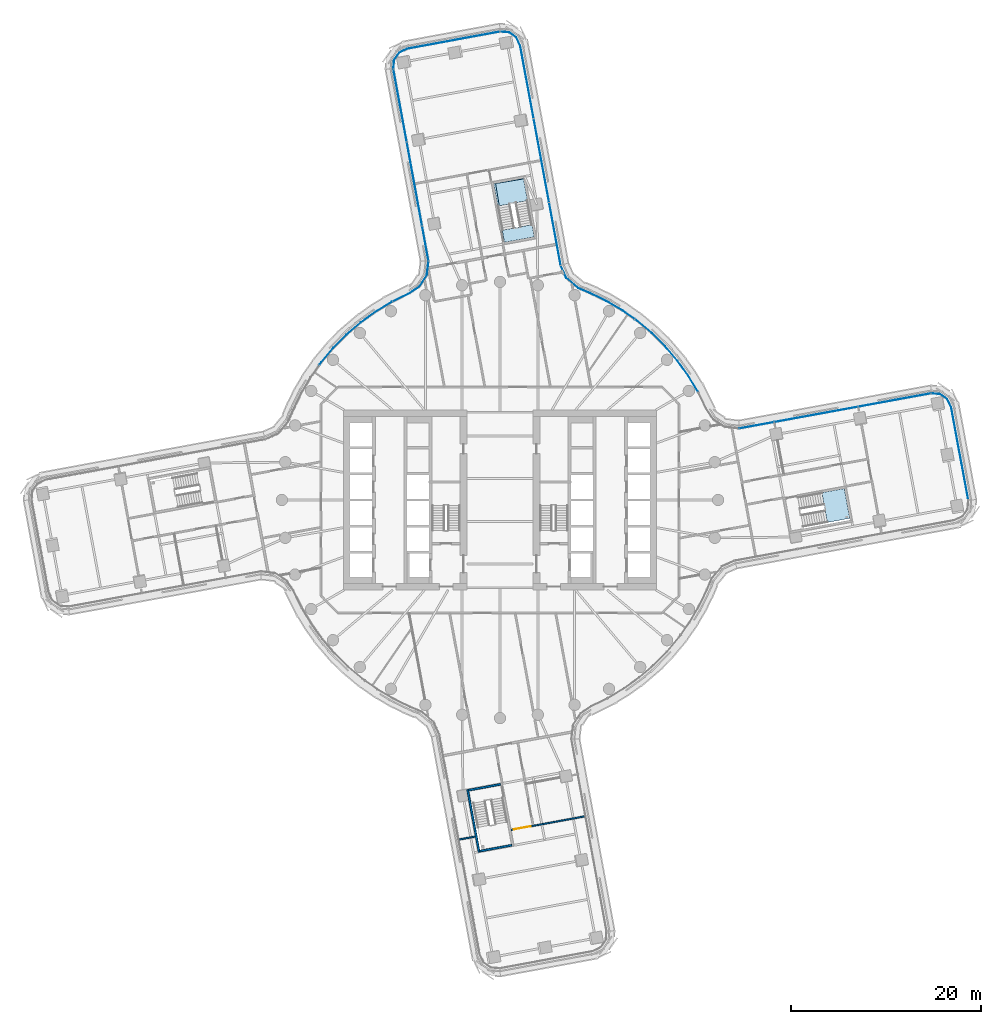
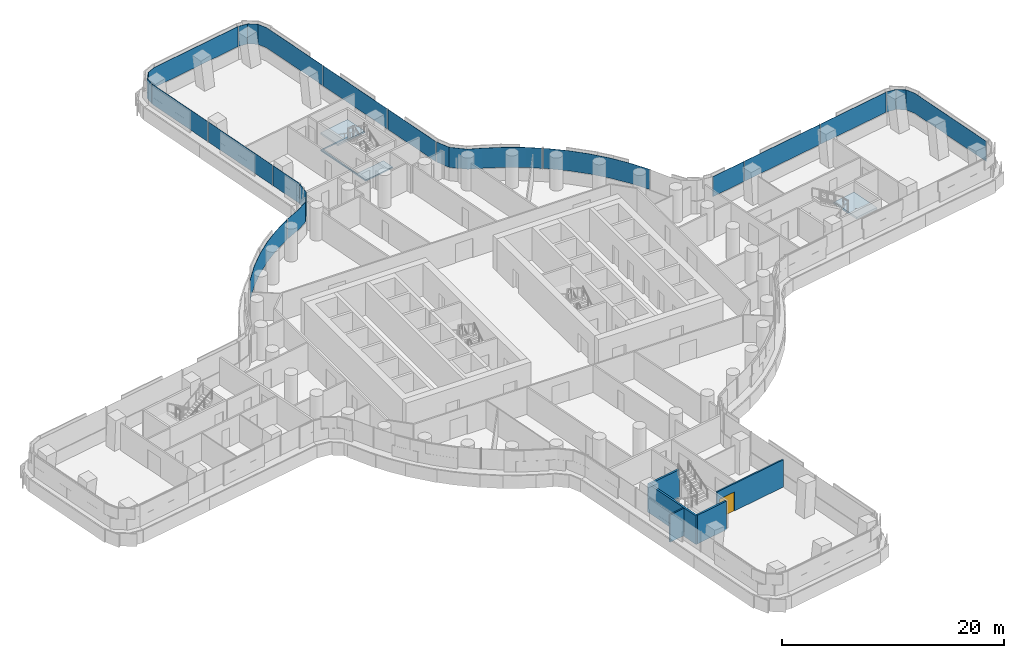
# One storey, part 19 of 33: 15 plates, 5 walls, 3 slabs, 1 door, 1 opening, 9 elements without a shape of their own.
"""IFC4 building model written with IfcOpenShell, lengths in metres."""

from ifc_helpers import new_model, si_unit, direction, frame, frame_2d, origin, place, context, subcontext, project, spatial, polyline, rectangle, outline, extrude, material, layer, layer_set, type_object, element, fill, aggregate, save


model = new_model("IFC4")

# Units and contexts
model_context = context("Model", 3, precision=1e-05, world=origin(), true_north=direction((0.0, 1.0)))
body_context = subcontext(model_context, "Body", "Model", "MODEL_VIEW")
ifc_project = project(units=[si_unit("LENGTHUNIT", "METRE"), si_unit("AREAUNIT", "SQUARE_METRE"), si_unit("VOLUMEUNIT", "CUBIC_METRE"), si_unit("PLANEANGLEUNIT", "RADIAN"), si_unit("MASSUNIT", "GRAM", prefix="KILO")], contexts=[model_context])

# Site, building, storey
site_placement = place(None, origin())
site = spatial("IfcSite", under=ifc_project, at=site_placement, CompositionType="ELEMENT")
building_placement = place(site_placement, origin())
building = spatial("IfcBuilding", under=site, at=building_placement, Name="Tamarind Cross Interchange Tower", CompositionType="ELEMENT")
storey_placement = place(building_placement, frame((0.0, 0.0, 71.5)))
storey = spatial("IfcBuildingStorey", under=building, at=storey_placement, Name="L16", CompositionType="ELEMENT", Elevation=71.5)

# Slab
ifc_material_1 = material(Name="Concrete C35", Category="concrete")
ifc_layer_1 = layer(ifc_material_1, 0.139892578125)
ifc_layer_set_1 = layer_set([ifc_layer_1], Name="Concrete C35")
slab_type_1 = type_object("IfcSlabType", Name="Composite slab 140 Concrete C35", PredefinedType="FLOOR", material=ifc_layer_set_1)
slab_1_placement = place(storey_placement, frame((0.0, 0.0, -0.139892578125)))
element("IfcSlab", 1, at=slab_1_placement, inside=storey, type_object=slab_type_1, Name="Floor slab L16", PredefinedType="FLOOR", context=body_context, shape_type="SweptSolid", body=[
    extrude(outline(polyline([(2.474609375, 33.94677734375), (-0.67236328125, 33.366455078125), (0.47021484375, 27.1708984375), (3.616943359375, 27.751220703125), (3.379150390625, 29.04150390625), (0.345703125, 28.482177734375), (-0.465087890625, 33.376953125), (2.489501953125, 33.8662109375), (2.474609375, 33.94677734375)])), origin(), (0.0, 0.0, 1.0), 0.139892578125),
])

# Stair, slab
ifc_material_2 = material(Name="Exit stair")
stair_type = type_object("IfcStairType", Name="Exit stair", PredefinedType="HALF_TURN_STAIR", material=ifc_material_2)
stair_1_placement = place(storey_placement, origin())
stair_1 = element("IfcStair", 2, at=stair_1_placement, inside=storey, type_object=stair_type, Name="L16 exit stair ST3", PredefinedType="HALF_TURN_STAIR")
ifc_material_3 = material(Name="Concrete C40", Category="concrete")
ifc_layer_2 = layer(ifc_material_3, 0.199951171875)
ifc_layer_set_2 = layer_set([ifc_layer_2], Name="Concrete C40")
slab_type_2 = type_object("IfcSlabType", Name="Stair landing", PredefinedType="LANDING", material=ifc_layer_set_2)
slab_2_placement = place(storey_placement, frame((0.0, 0.0, 1.675048828125)))
slab_2 = element("IfcSlab", 3, at=slab_2_placement, type_object=slab_type_2, Name="ST3 landing 1", PredefinedType="LANDING", context=body_context, shape_type="SweptSolid", body=[
    extrude(outline(polyline([(34.525146484375, -2.367919921875), (36.89697265625, -1.930419921875), (36.31689453125, 1.21630859375), (33.94482421875, 0.779052734375), (34.525146484375, -2.367919921875)])), origin(), (0.0, 0.0, 1.0), 0.199951171875),
])
aggregate(stair_1, [slab_2])

stair_2_placement = place(storey_placement, origin())
stair_2 = element("IfcStair", 4, at=stair_2_placement, inside=storey, type_object=stair_type, Name="L16 exit stair ST4", PredefinedType="HALF_TURN_STAIR")
slab_3_placement = place(storey_placement, frame((0.0, 0.0, 1.675048828125)))
slab_3 = element("IfcSlab", 5, at=slab_3_placement, type_object=slab_type_2, Name="ST4 landing 1", PredefinedType="LANDING", context=body_context, shape_type="SweptSolid", body=[
    extrude(outline(polyline([(2.911865234375, 31.57470703125), (2.474609375, 33.94677734375), (-0.67236328125, 33.366455078125), (-0.235107421875, 30.99462890625), (2.911865234375, 31.57470703125)])), origin(), (0.0, 0.0, 1.0), 0.199951171875),
])
aggregate(stair_2, [slab_3])

# Curtain wall, plate
ifc_material_4 = material(Name="Aluminium 6063-T6", Category="aluminium")
ifc_layer_3 = layer(ifc_material_4, 0.159912109375)
ifc_layer_set_3 = layer_set([ifc_layer_3], Name="Aluminium 6063-T6")
curtain_wall_type = type_object("IfcCurtainWallType", Name="Office curtain wall, 9.0 m bays", PredefinedType="NOTDEFINED", material=ifc_layer_set_3)
curtain_wall_1_placement = place(storey_placement, origin())
curtain_wall_1 = element("IfcCurtainWall", 6, at=curtain_wall_1_placement, inside=storey, type_object=curtain_wall_type, Name="CWS-L16-08", PredefinedType="NOTDEFINED")
ifc_material_5 = material(Name="Laminated low-e glass 8+1.52+8", Category="glass")
ifc_layer_4 = layer(ifc_material_5, 0.028076171875)
ifc_layer_set_4 = layer_set([ifc_layer_4], Name="Laminated low-e glass 8+1.52+8")
plate_type = type_object("IfcPlateType", Name="Vision panel CW1", PredefinedType="CURTAIN_PANEL", material=ifc_layer_set_4)
plate_1_placement = place(storey_placement, frame((0.0, 0.0, 1.39990234375)))
plate_1 = element("IfcPlate", 7, at=plate_1_placement, type_object=plate_type, Name="CWP-L16-08-00", PredefinedType="CURTAIN_PANEL", context=body_context, shape_type="SweptSolid", body=[
    extrude(outline(polyline([(49.378173828125, 0.021484375), (47.580078125, 9.772705078125), (47.171875, 10.630126953125), (46.413818359375, 11.15234375), (45.494873046875, 11.2255859375), (45.4970703125, 11.25341796875), (46.42333984375, 11.1796875), (47.194091796875, 10.64892578125), (47.60693359375, 9.78125), (49.40576171875, 0.026611328125), (49.378173828125, 0.021484375)])), origin(), (0.0, 0.0, 1.0), 2.210205078125),
])
aggregate(curtain_wall_1, [plate_1])

# Curtain wall, plates
curtain_wall_2_placement = place(storey_placement, origin())
curtain_wall_2 = element("IfcCurtainWall", 8, at=curtain_wall_2_placement, inside=storey, type_object=curtain_wall_type, Name="CWS-L16-09", PredefinedType="NOTDEFINED")
plate_2_placement = place(storey_placement, frame((0.0, 0.0, 1.39990234375)))
plate_2 = element("IfcPlate", 9, at=plate_2_placement, type_object=plate_type, Name="CWP-L16-09-00", PredefinedType="CURTAIN_PANEL", context=body_context, shape_type="SweptSolid", body=[
    extrude(outline(polyline([(45.439208984375, 11.22265625), (37.78271484375, 9.821044921875), (37.77783203125, 9.848388671875), (45.43408203125, 11.250244140625), (45.439208984375, 11.22265625)])), origin(), (0.0, 0.0, 1.0), 2.210205078125),
])
plate_3_placement = place(storey_placement, frame((0.0, 0.0, 1.39990234375)))
plate_3 = element("IfcPlate", 10, at=plate_3_placement, type_object=plate_type, Name="CWP-L16-09-01", PredefinedType="CURTAIN_PANEL", context=body_context, shape_type="SweptSolid", body=[
    extrude(outline(polyline([(37.7236328125, 9.81005859375), (28.92822265625, 8.199951171875), (28.923095703125, 8.227294921875), (37.71875, 9.837646484375), (37.7236328125, 9.81005859375)])), origin(), (0.0, 0.0, 1.0), 2.210205078125),
])
plate_4_placement = place(storey_placement, frame((0.0, 0.0, 1.39990234375)))
plate_4 = element("IfcPlate", 11, at=plate_4_placement, type_object=plate_type, Name="CWP-L16-09-02", PredefinedType="CURTAIN_PANEL", context=body_context, shape_type="SweptSolid", body=[
    extrude(outline(polyline([(28.869140625, 8.18896484375), (25.25927734375, 7.528076171875), (25.25439453125, 7.5556640625), (28.8642578125, 8.216552734375), (28.869140625, 8.18896484375)])), origin(), (0.0, 0.0, 1.0), 2.210205078125),
])
aggregate(curtain_wall_2, [plate_2, plate_3, plate_4])

curtain_wall_3_placement = place(storey_placement, origin())
curtain_wall_3 = element("IfcCurtainWall", 12, at=curtain_wall_3_placement, inside=storey, type_object=curtain_wall_type, Name="CWS-L16-10", PredefinedType="NOTDEFINED")
plate_5_placement = place(storey_placement, frame((0.0, 0.0, 1.39990234375)))
plate_5 = element("IfcPlate", 13, at=plate_5_placement, type_object=plate_type, Name="CWP-L16-10-01", PredefinedType="CURTAIN_PANEL", context=body_context, shape_type="SweptSolid", body=[
    extrude(outline(polyline([(20.900390625, 11.34033203125), (20.866455078125, 11.40869140625), (19.85302734375, 13.093017578125), (18.7041015625, 14.687744140625), (17.42724609375, 16.18212890625), (16.031494140625, 17.56591796875), (14.526123046875, 18.829833984375), (14.23583984375, 19.03515625), (14.252197265625, 19.05810546875), (14.543212890625, 18.85205078125), (16.05029296875, 17.586669921875), (17.44775390625, 16.201171875), (18.72607421875, 14.705078125), (19.87646484375, 13.1083984375), (20.89111328125, 11.422119140625), (20.92529296875, 11.352783203125), (20.900390625, 11.34033203125)])), origin(), (0.0, 0.0, 1.0), 2.210205078125),
])
plate_6_placement = place(storey_placement, frame((0.0, 0.0, 1.39990234375)))
plate_6 = element("IfcPlate", 14, at=plate_6_placement, type_object=plate_type, Name="CWP-L16-10-02", PredefinedType="CURTAIN_PANEL", context=body_context, shape_type="SweptSolid", body=[
    extrude(outline(polyline([(14.18701171875, 19.06982421875), (12.921630859375, 19.965087890625), (11.228759765625, 20.9638671875), (9.456298828125, 21.821044921875), (8.26708984375, 22.320068359375), (6.97705078125, 23.414306640625), (6.4072265625, 24.7138671875), (6.432861328125, 24.72509765625), (7.000244140625, 23.431396484375), (8.281982421875, 22.34423828125), (9.4677734375, 21.846435546875), (11.241943359375, 20.98876953125), (12.936767578125, 19.988525390625), (14.203125, 19.0927734375), (14.18701171875, 19.06982421875)])), origin(), (0.0, 0.0, 1.0), 2.210205078125),
])
aggregate(curtain_wall_3, [plate_5, plate_6])

curtain_wall_4_placement = place(storey_placement, origin())
curtain_wall_4 = element("IfcCurtainWall", 15, at=curtain_wall_4_placement, inside=storey, type_object=curtain_wall_type, Name="CWS-L16-11", PredefinedType="NOTDEFINED")
plate_7_placement = place(storey_placement, frame((0.0, 0.0, 1.39990234375)))
plate_7 = element("IfcPlate", 16, at=plate_7_placement, type_object=plate_type, Name="CWP-L16-11-00", PredefinedType="CURTAIN_PANEL", context=body_context, shape_type="SweptSolid", body=[
    extrude(outline(polyline([(6.388916015625, 24.77392578125), (5.17822265625, 31.33984375), (5.20556640625, 31.344970703125), (6.41650390625, 24.779052734375), (6.388916015625, 24.77392578125)])), origin(), (0.0, 0.0, 1.0), 2.210205078125),
])
plate_8_placement = place(storey_placement, frame((0.0, 0.0, 1.39990234375)))
plate_8 = element("IfcPlate", 17, at=plate_8_placement, type_object=plate_type, Name="CWP-L16-11-01", PredefinedType="CURTAIN_PANEL", context=body_context, shape_type="SweptSolid", body=[
    extrude(outline(polyline([(5.167236328125, 31.398681640625), (3.54638671875, 40.189453125), (3.57373046875, 40.194580078125), (5.19482421875, 31.40380859375), (5.167236328125, 31.398681640625)])), origin(), (0.0, 0.0, 1.0), 2.210205078125),
])
plate_9_placement = place(storey_placement, frame((0.0, 0.0, 1.39990234375)))
plate_9 = element("IfcPlate", 18, at=plate_9_placement, type_object=plate_type, Name="CWP-L16-11-02", PredefinedType="CURTAIN_PANEL", context=body_context, shape_type="SweptSolid", body=[
    extrude(outline(polyline([(3.535400390625, 40.248291015625), (2.119140625, 47.92822265625), (1.711181640625, 48.78564453125), (0.952880859375, 49.307861328125), (0.0341796875, 49.381103515625), (0.036376953125, 49.408935546875), (0.962646484375, 49.335205078125), (1.733154296875, 48.804443359375), (2.14599609375, 47.936767578125), (3.56298828125, 40.25341796875), (3.535400390625, 40.248291015625)])), origin(), (0.0, 0.0, 1.0), 2.210205078125),
])
aggregate(curtain_wall_4, [plate_7, plate_8, plate_9])

# Curtain wall, plate
curtain_wall_5_placement = place(storey_placement, origin())
curtain_wall_5 = element("IfcCurtainWall", 19, at=curtain_wall_5_placement, inside=storey, type_object=curtain_wall_type, Name="CWS-L16-12", PredefinedType="NOTDEFINED")
plate_10_placement = place(storey_placement, frame((0.0, 0.0, 1.39990234375)))
plate_10 = element("IfcPlate", 20, at=plate_10_placement, type_object=plate_type, Name="CWP-L16-12-00", PredefinedType="CURTAIN_PANEL", context=body_context, shape_type="SweptSolid", body=[
    extrude(outline(polyline([(-0.021484375, 49.378173828125), (-9.772705078125, 47.580078125), (-10.630126953125, 47.171875), (-11.15234375, 46.413818359375), (-11.2255859375, 45.494873046875), (-11.25341796875, 45.4970703125), (-11.1796875, 46.42333984375), (-10.64892578125, 47.194091796875), (-9.78125, 47.60693359375), (-0.026611328125, 49.40576171875), (-0.021484375, 49.378173828125)])), origin(), (0.0, 0.0, 1.0), 2.210205078125),
])
aggregate(curtain_wall_5, [plate_10])

# Curtain wall, plates
curtain_wall_6_placement = place(storey_placement, origin())
curtain_wall_6 = element("IfcCurtainWall", 21, at=curtain_wall_6_placement, inside=storey, type_object=curtain_wall_type, Name="CWS-L16-13", PredefinedType="NOTDEFINED")
plate_11_placement = place(storey_placement, frame((0.0, 0.0, 1.39990234375)))
plate_11 = element("IfcPlate", 22, at=plate_11_placement, type_object=plate_type, Name="CWP-L16-13-00", PredefinedType="CURTAIN_PANEL", context=body_context, shape_type="SweptSolid", body=[
    extrude(outline(polyline([(-11.22265625, 45.439208984375), (-9.821044921875, 37.78271484375), (-9.848388671875, 37.77783203125), (-11.250244140625, 45.43408203125), (-11.22265625, 45.439208984375)])), origin(), (0.0, 0.0, 1.0), 2.210205078125),
])
plate_12_placement = place(storey_placement, frame((0.0, 0.0, 1.39990234375)))
plate_12 = element("IfcPlate", 23, at=plate_12_placement, type_object=plate_type, Name="CWP-L16-13-01", PredefinedType="CURTAIN_PANEL", context=body_context, shape_type="SweptSolid", body=[
    extrude(outline(polyline([(-9.81005859375, 37.7236328125), (-8.199951171875, 28.92822265625), (-8.227294921875, 28.923095703125), (-9.837646484375, 37.71875), (-9.81005859375, 37.7236328125)])), origin(), (0.0, 0.0, 1.0), 2.210205078125),
])
plate_13_placement = place(storey_placement, frame((0.0, 0.0, 1.39990234375)))
plate_13 = element("IfcPlate", 24, at=plate_13_placement, type_object=plate_type, Name="CWP-L16-13-02", PredefinedType="CURTAIN_PANEL", context=body_context, shape_type="SweptSolid", body=[
    extrude(outline(polyline([(-8.18896484375, 28.869140625), (-7.528076171875, 25.25927734375), (-7.5556640625, 25.25439453125), (-8.216552734375, 28.8642578125), (-8.18896484375, 28.869140625)])), origin(), (0.0, 0.0, 1.0), 2.210205078125),
])
aggregate(curtain_wall_6, [plate_11, plate_12, plate_13])

curtain_wall_7_placement = place(storey_placement, origin())
curtain_wall_7 = element("IfcCurtainWall", 25, at=curtain_wall_7_placement, inside=storey, type_object=curtain_wall_type, Name="CWS-L16-14", PredefinedType="NOTDEFINED")
plate_14_placement = place(storey_placement, frame((0.0, 0.0, 1.39990234375)))
plate_14 = element("IfcPlate", 26, at=plate_14_placement, type_object=plate_type, Name="CWP-L16-14-00", PredefinedType="CURTAIN_PANEL", context=body_context, shape_type="SweptSolid", body=[
    extrude(outline(polyline([(-7.526123046875, 25.19580078125), (-7.70458984375, 23.69140625), (-8.494873046875, 22.488037109375), (-9.627197265625, 21.7470703125), (-11.28662109375, 20.927001953125), (-11.299072265625, 20.951904296875), (-9.64111328125, 21.771484375), (-8.51513671875, 22.50830078125), (-7.731689453125, 23.701171875), (-7.553955078125, 25.19921875), (-7.526123046875, 25.19580078125)])), origin(), (0.0, 0.0, 1.0), 2.210205078125),
])
plate_15_placement = place(storey_placement, frame((0.0, 0.0, 1.39990234375)))
plate_15 = element("IfcPlate", 27, at=plate_15_placement, type_object=plate_type, Name="CWP-L16-14-01", PredefinedType="CURTAIN_PANEL", context=body_context, shape_type="SweptSolid", body=[
    extrude(outline(polyline([(-11.34033203125, 20.900390625), (-11.40869140625, 20.866455078125), (-13.093017578125, 19.85302734375), (-14.687744140625, 18.7041015625), (-16.18212890625, 17.42724609375), (-17.56591796875, 16.031494140625), (-18.829833984375, 14.526123046875), (-19.03515625, 14.23583984375), (-19.05810546875, 14.252197265625), (-18.85205078125, 14.543212890625), (-17.586669921875, 16.05029296875), (-16.201171875, 17.44775390625), (-14.705078125, 18.72607421875), (-13.1083984375, 19.87646484375), (-11.422119140625, 20.89111328125), (-11.352783203125, 20.92529296875), (-11.34033203125, 20.900390625)])), origin(), (0.0, 0.0, 1.0), 2.210205078125),
])
aggregate(curtain_wall_7, [plate_14, plate_15])

# Wall
ifc_material_6 = material(Name="Gypsum board partition on steel studs", Category="steel")
ifc_layer_5 = layer(ifc_material_6, 0.14990234375)
ifc_layer_set_5 = layer_set([ifc_layer_5], Name="Gypsum board partition on steel studs")
wall_type_1 = type_object("IfcWallType", Name="Partition 150 mm EI 120", PredefinedType="PARTITIONING", material=ifc_layer_set_5)
wall_1_placement = place(storey_placement, frame((-4.2666015625, -35.802734375, 0.0), z_axis=(0.0, 0.0, 1.0), x_axis=(0.983387873061, 0.181516641429, 0.0)))
element("IfcWall", 28, at=wall_1_placement, inside=storey, type_object=wall_type_1, Name="Partition L16-055", PredefinedType="PARTITIONING", context=body_context, shape_type="SweptSolid", body=[
    extrude(rectangle(XDim=1.64892578125, YDim=0.14990234375, at=frame_2d((0.824462890625, 0.0))), origin(), (0.0, 0.0, 1.0), 3.010009765625),
])

# Wall, opening, door
wall_2_placement = place(storey_placement, frame((1.180419921875, -34.797607421875, 0.0), z_axis=(0.0, 0.0, 1.0), x_axis=(0.983403292233, 0.181433086357, 0.0)))
wall_2 = element("IfcWall", 29, at=wall_2_placement, inside=storey, type_object=wall_type_1, Name="Partition L16-056", PredefinedType="PARTITIONING", context=body_context, shape_type="SweptSolid", body=[
    extrude(rectangle(XDim=7.87451171875, YDim=0.14990234375, at=frame_2d((3.937255859375, 0.0))), origin(), (0.0, 0.0, 1.0), 3.010009765625),
])
opening_placement = place(wall_2_placement, frame((0.300048828125, 0.0, 0.0)))
opening = element("IfcOpeningElement", 30, at=opening_placement, cuts=wall_2, Name="Opening D31", PredefinedType="OPENING", context=body_context, shape_type="SweptSolid", body=[
    extrude(rectangle(XDim=1.800048828125, YDim=2.10009765625, at=frame_2d((0.89990234375, 1.050048828125))), frame((0.0, 0.0849609375, 0.0), z_axis=(0.0, -1.0, 0.0), x_axis=(1.0, 0.0, 0.0)), (0.0, 0.0, 1.0), 0.169921875),
])
ifc_material_7 = material(Name="Fire-resisting door set")
door_type = type_object("IfcDoorType", Name="Interior door 1800 x 2100 FD60S", OperationType="DOUBLE_DOOR_SINGLE_SWING", PredefinedType="DOOR", material=ifc_material_7)
door_placement = place(opening_placement, frame((1.800048828125, 0.0, 0.0), z_axis=(0.0, 0.0, 1.0), x_axis=(-1.0, 0.0, 0.0)))
door = element("IfcDoor", 31, at=door_placement, inside=storey, type_object=door_type, Name="Door D31", OperationType="DOUBLE_DOOR_SINGLE_SWING", OverallHeight=2.10009765625, OverallWidth=1.800048828125, PredefinedType="DOOR", context=body_context, shape_type="SweptSolid", body=[
    extrude(rectangle(XDim=1.800048828125, YDim=2.10009765625, at=frame_2d((0.89990234375, 1.050048828125))), frame((0.0, 0.02490234375, 0.0), z_axis=(0.0, -1.0, 0.0), x_axis=(1.0, 0.0, 0.0)), (0.0, 0.0, 1.0), 0.050048828125),
])
fill(opening, door)

# Walls
ifc_layer_6 = layer(ifc_material_3, 0.199951171875)
ifc_layer_set_6 = layer_set([ifc_layer_6], Name="Concrete C40")
wall_type_2 = type_object("IfcWallType", Name="Stair shaft wall 200 mm Concrete C40", PredefinedType="SHEAR", material=ifc_layer_set_6)
wall_3_placement = place(storey_placement, frame((-3.42041015625, -30.5263671875, -0.139892578125), z_axis=(0.0, 0.0, 1.0), x_axis=(0.181315579506, -0.983424964412, 0.0)))
element("IfcWall", 32, at=wall_3_placement, inside=storey, type_object=wall_type_2, Name="Core wall CWL-L16-ST6-C", PredefinedType="SHEAR", context=body_context, shape_type="SweptSolid", body=[
    extrude(rectangle(XDim=6.735107421875, YDim=0.199951171875, at=frame_2d((3.36767578125, 0.0))), origin(), (0.0, 0.0, 1.0), 3.14990234375),
])
wall_4_placement = place(storey_placement, frame((-3.303955078125, -30.606689453125, -0.139892578125), z_axis=(0.0, 0.0, 1.0), x_axis=(0.983416577587, 0.181361062325, 0.0)))
element("IfcWall", 33, at=wall_4_placement, inside=storey, type_object=wall_type_2, Name="Core wall CWL-L16-ST6-CE", PredefinedType="SHEAR", context=body_context, shape_type="SweptSolid", body=[
    extrude(rectangle(XDim=3.409912109375, YDim=0.199951171875, at=frame_2d((1.705078125, 0.0))), origin(), (0.0, 0.0, 1.0), 3.14990234375),
])
wall_5_placement = place(storey_placement, frame((0.0, 0.0, -0.139892578125)))
element("IfcWall", 34, at=wall_5_placement, inside=storey, type_object=wall_type_2, Name="Core wall CWL-L16-ST6-CF", PredefinedType="SHEAR", context=body_context, shape_type="SweptSolid", body=[
    extrude(outline(polyline([(-2.136962890625, -36.935302734375), (-2.100830078125, -37.1318359375), (1.252685546875, -36.513427734375), (1.21630859375, -36.31689453125), (-2.136962890625, -36.935302734375)])), origin(), (0.0, 0.0, 1.0), 3.14990234375),
])

save(model, "model.ifc")
